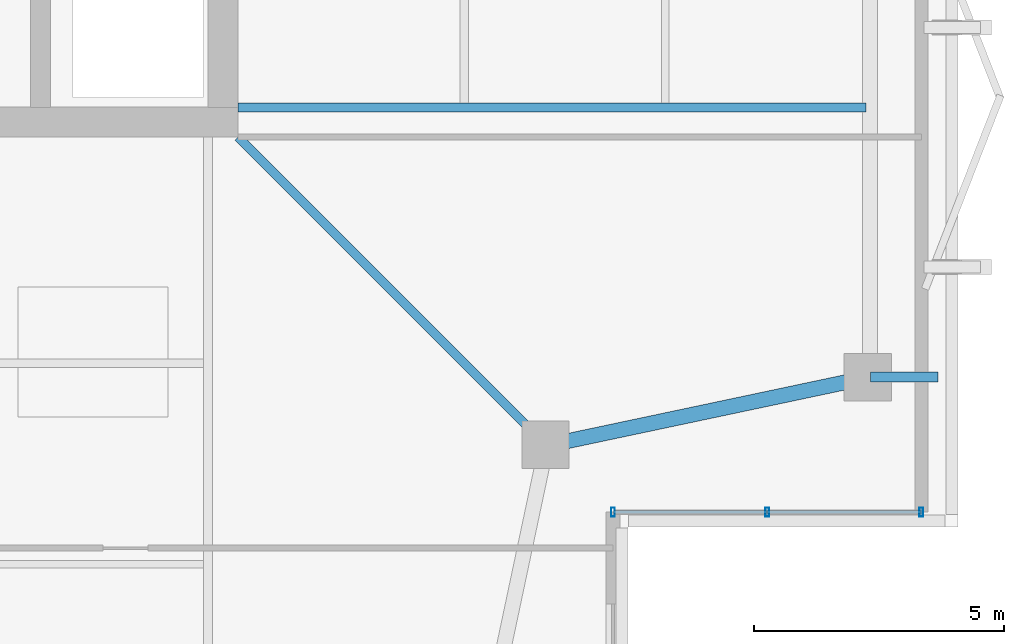
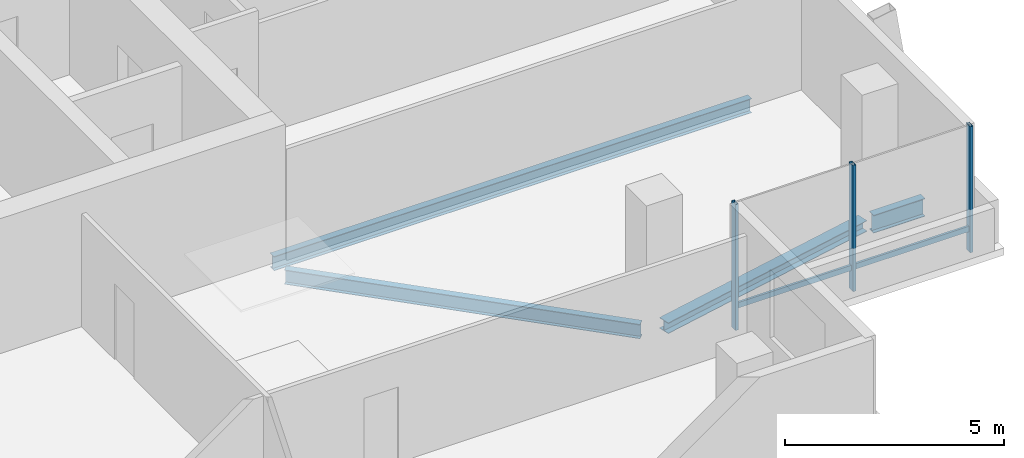
# One storey, part 9 of 26: 5 members, 4 beams, 1 element without a shape of its own.
"""IFC4 building model written with IfcOpenShell, lengths in metres."""

from ifc_helpers import new_model, si_unit, direction, frame, origin, origin_2d, place, context, subcontext, project, spatial, hollow_rectangle, i_section, extrude, material, layer, layer_set, material_profile, profile_set, type_object, element, aggregate, save


model = new_model("IFC4")

# Units and contexts
model_context = context("Model", 3, precision=1e-05, world=origin(), true_north=direction((0.0, 1.0)))
body_context = subcontext(model_context, "Body", "Model", "MODEL_VIEW")
ifc_project = project(units=[si_unit("LENGTHUNIT", "METRE"), si_unit("AREAUNIT", "SQUARE_METRE"), si_unit("VOLUMEUNIT", "CUBIC_METRE"), si_unit("PLANEANGLEUNIT", "RADIAN"), si_unit("MASSUNIT", "GRAM", prefix="KILO")], contexts=[model_context])

# Site, building, storey
site_placement = place(None, origin())
site = spatial("IfcSite", under=ifc_project, at=site_placement, CompositionType="ELEMENT")
building_placement = place(site_placement, origin())
building = spatial("IfcBuilding", under=site, at=building_placement, Name="Belovzor Exchange Tower", CompositionType="ELEMENT")
storey_placement = place(building_placement, frame((0.0, 0.0, 295.5)))
storey = spatial("IfcBuildingStorey", under=building, at=storey_placement, Name="L73", CompositionType="ELEMENT", Elevation=295.5)

# Beam
ifc_material_1 = material(Name="Steel S355", Category="steel")
ifc_material_profile_1 = material_profile(ifc_material_1, i_section(OverallWidth=0.199951171875, OverallDepth=0.5, WebThickness=0.01025390625, FlangeThickness=0.01611328125, at=origin_2d()))
ifc_profile_set_1 = profile_set([ifc_material_profile_1], Name="Steel S355")
beam_type_1 = type_object("IfcBeamType", Name="Planted Balcony Cantilever Beam IPE 500", PredefinedType="BEAM", material=ifc_profile_set_1)
beam_1_placement = place(storey_placement, frame((50.448974609375, 15.0, -0.489990234375), z_axis=(1.0, 0.0, 0.0), x_axis=(0.0, 1.0, 0.0)))
element("IfcBeam", 1, at=beam_1_placement, inside=storey, type_object=beam_type_1, Name="BC-500 Planted Balcony Cantilever Beam IPE 500", PredefinedType="BEAM", context=body_context, shape_type="SweptSolid", body=[
    extrude(i_section(OverallWidth=0.199951171875, OverallDepth=0.5, WebThickness=0.01025390625, FlangeThickness=0.01611328125, at=origin_2d()), origin(), (0.0, 0.0, 1.0), 1.35107421875),
])

# Curtain wall, members
ifc_material_2 = material(Name="Anodised Aluminium Framing", Category="aluminium")
ifc_layer = layer(ifc_material_2, 0.195068359375)
ifc_layer_set = layer_set([ifc_layer], Name="Anodised Aluminium Framing")
curtain_wall_type = type_object("IfcCurtainWallType", Name="Notched Re-Entrant Corner Unitised Curtain Wall", PredefinedType="NOTDEFINED", material=ifc_layer_set)
curtain_wall_placement = place(storey_placement, origin())
curtain_wall = element("IfcCurtainWall", 2, at=curtain_wall_placement, inside=storey, type_object=curtain_wall_type, Name="CW5 Notched Re-Entrant Corner Unitised Curtain Wall L73", PredefinedType="NOTDEFINED")
ifc_material_3 = material(Name="Steel S355", Category="steel")
ifc_material_profile_2 = material_profile(ifc_material_3, hollow_rectangle(XDim=0.074951171875, YDim=0.179931640625, WallThickness=0.0048828125, at=origin_2d()))
ifc_profile_set_2 = profile_set([ifc_material_profile_2], Name="Steel S355")
member_type_1 = type_object("IfcMemberType", Name="Thermally Broken Curtain Wall Mullion 180x75", PredefinedType="MULLION", material=ifc_profile_set_2)
member_1_placement = place(storey_placement, frame((51.469970703125, 12.300048828125, 0.0), z_axis=(0.0, 0.0, 1.0), x_axis=(-1.0, 0.0, 0.0)))
member_1 = element("IfcMember", 3, at=member_1_placement, type_object=member_type_1, Name="CW-M180 Curtain Wall Mullion 1", PredefinedType="MULLION", context=body_context, shape_type="SweptSolid", body=[
    extrude(hollow_rectangle(XDim=0.074951171875, YDim=0.179931640625, WallThickness=0.0048828125, at=origin_2d()), origin(), (0.0, 0.0, 1.0), 3.510009765625),
])
member_2_placement = place(storey_placement, frame((48.385009765625, 12.300048828125, 0.0), z_axis=(0.0, 0.0, 1.0), x_axis=(-1.0, 0.0, 0.0)))
member_2 = element("IfcMember", 4, at=member_2_placement, type_object=member_type_1, Name="CW-M180 Curtain Wall Mullion 2", PredefinedType="MULLION", context=body_context, shape_type="SweptSolid", body=[
    extrude(hollow_rectangle(XDim=0.074951171875, YDim=0.179931640625, WallThickness=0.0048828125, at=origin_2d()), origin(), (0.0, 0.0, 1.0), 3.510009765625),
])
member_3_placement = place(storey_placement, frame((45.300048828125, 12.300048828125, 0.0), z_axis=(0.0, 0.0, 1.0), x_axis=(-1.0, 0.0, 0.0)))
member_3 = element("IfcMember", 5, at=member_3_placement, type_object=member_type_1, Name="CW-M180 Curtain Wall Mullion 3", PredefinedType="MULLION", context=body_context, shape_type="SweptSolid", body=[
    extrude(hollow_rectangle(XDim=0.074951171875, YDim=0.179931640625, WallThickness=0.0048828125, at=origin_2d()), origin(), (0.0, 0.0, 1.0), 3.510009765625),
])
ifc_material_4 = material(Name="Steel S355", Category="steel")
ifc_material_profile_3 = material_profile(ifc_material_4, hollow_rectangle(XDim=0.06005859375, YDim=0.14990234375, WallThickness=0.00390625, at=origin_2d()))
ifc_profile_set_3 = profile_set([ifc_material_profile_3], Name="Steel S355")
member_type_2 = type_object("IfcMemberType", Name="Thermally Broken Curtain Wall Transom 150x60", PredefinedType="USERDEFINED", material=ifc_profile_set_3)
member_4_placement = place(storey_placement, frame((51.4619140625, 12.300048828125, 0.632080078125), z_axis=(-1.0, 0.0, 0.0), x_axis=(0.0, -1.0, 0.0)))
member_4 = element("IfcMember", 6, at=member_4_placement, type_object=member_type_2, Name="CW-T150 Curtain Wall Transom 1", ObjectType="TRANSOM", PredefinedType="USERDEFINED", context=body_context, shape_type="SweptSolid", body=[
    extrude(hollow_rectangle(XDim=0.06005859375, YDim=0.14990234375, WallThickness=0.00390625, at=origin_2d()), origin(), (0.0, 0.0, 1.0), 3.06884765625),
])
member_5_placement = place(storey_placement, frame((48.376953125, 12.300048828125, 0.632080078125), z_axis=(-1.0, 0.0, 0.0), x_axis=(0.0, -1.0, 0.0)))
member_5 = element("IfcMember", 7, at=member_5_placement, type_object=member_type_2, Name="CW-T150 Curtain Wall Transom 2", ObjectType="TRANSOM", PredefinedType="USERDEFINED", context=body_context, shape_type="SweptSolid", body=[
    extrude(hollow_rectangle(XDim=0.06005859375, YDim=0.14990234375, WallThickness=0.00390625, at=origin_2d()), origin(), (0.0, 0.0, 1.0), 3.06884765625),
])
aggregate(curtain_wall, [member_1, member_2, member_3, member_4, member_5])

# Beams
ifc_material_5 = material(Name="Steel S355", Category="steel")
ifc_material_profile_4 = material_profile(ifc_material_5, i_section(OverallWidth=0.179931640625, OverallDepth=0.39990234375, WebThickness=0.008544921875, FlangeThickness=0.013427734375, at=origin_2d()))
ifc_profile_set_4 = profile_set([ifc_material_profile_4], Name="Steel S355")
beam_type_2 = type_object("IfcBeamType", Name="Zone 5-6 Radial Composite Floor Beam IPE 400", PredefinedType="BEAM", material=ifc_profile_set_4)
beam_2_placement = place(storey_placement, frame((37.800048828125, 20.39990234375, -0.43994140625), z_axis=(1.0, 0.0, 0.0), x_axis=(0.0, 1.0, 0.0)))
element("IfcBeam", 8, at=beam_2_placement, inside=storey, type_object=beam_type_2, Name="FB-400 Zone 5-6 Radial Composite Floor Beam IPE 400", PredefinedType="BEAM", context=body_context, shape_type="SweptSolid", body=[
    extrude(i_section(OverallWidth=0.179931640625, OverallDepth=0.39990234375, WebThickness=0.008544921875, FlangeThickness=0.013427734375, at=origin_2d()), origin(), (0.0, 0.0, 1.0), 12.56396484375),
])
beam_3_placement = place(storey_placement, frame((37.800048828125, 19.800048828125, -0.43994140625), z_axis=(0.707208630984, -0.707004916717, 0.0), x_axis=(0.707004916717, 0.707208630984, 0.0)))
element("IfcBeam", 9, at=beam_3_placement, inside=storey, type_object=beam_type_2, Name="FB-400 Zone 5-6 Radial Composite Floor Beam IPE 400", PredefinedType="BEAM", context=body_context, shape_type="SweptSolid", body=[
    extrude(i_section(OverallWidth=0.179931640625, OverallDepth=0.39990234375, WebThickness=0.008544921875, FlangeThickness=0.013427734375, at=origin_2d()), origin(), (0.0, 0.0, 1.0), 8.38916015625),
])
ifc_material_6 = material(Name="Steel S355", Category="steel")
ifc_material_profile_5 = material_profile(ifc_material_6, i_section(OverallWidth=0.300048828125, OverallDepth=0.300048828125, WebThickness=0.008544921875, FlangeThickness=0.013916015625, at=origin_2d()))
ifc_profile_set_5 = profile_set([ifc_material_profile_5], Name="Steel S355")
beam_type_3 = type_object("IfcBeamType", Name="Zone 6 Primary Girder HEA 300", PredefinedType="BEAM", material=ifc_profile_set_5)
beam_4_placement = place(storey_placement, frame((44.22607421875, 13.68505859375, -0.389892578125), z_axis=(0.978321592014, 0.207091435359, 0.0), x_axis=(-0.207091435359, 0.978321592014, 0.0)))
element("IfcBeam", 10, at=beam_4_placement, inside=storey, type_object=beam_type_3, Name="FG-Z6 Zone 6 Primary Girder HEA 300", PredefinedType="BEAM", context=body_context, shape_type="SweptSolid", body=[
    extrude(i_section(OverallWidth=0.300048828125, OverallDepth=0.300048828125, WebThickness=0.008544921875, FlangeThickness=0.013916015625, at=origin_2d()), origin(), (0.0, 0.0, 1.0), 6.089111328125),
])

save(model, "model.ifc")
